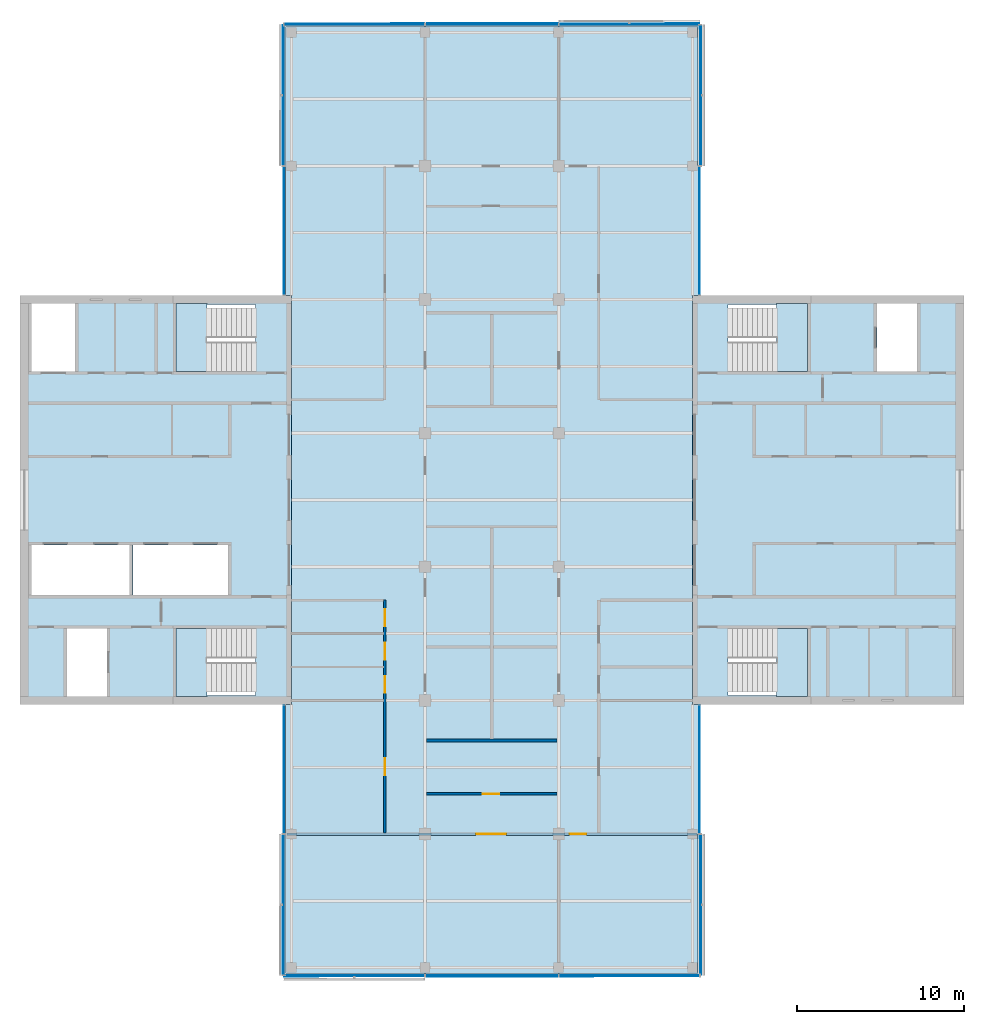
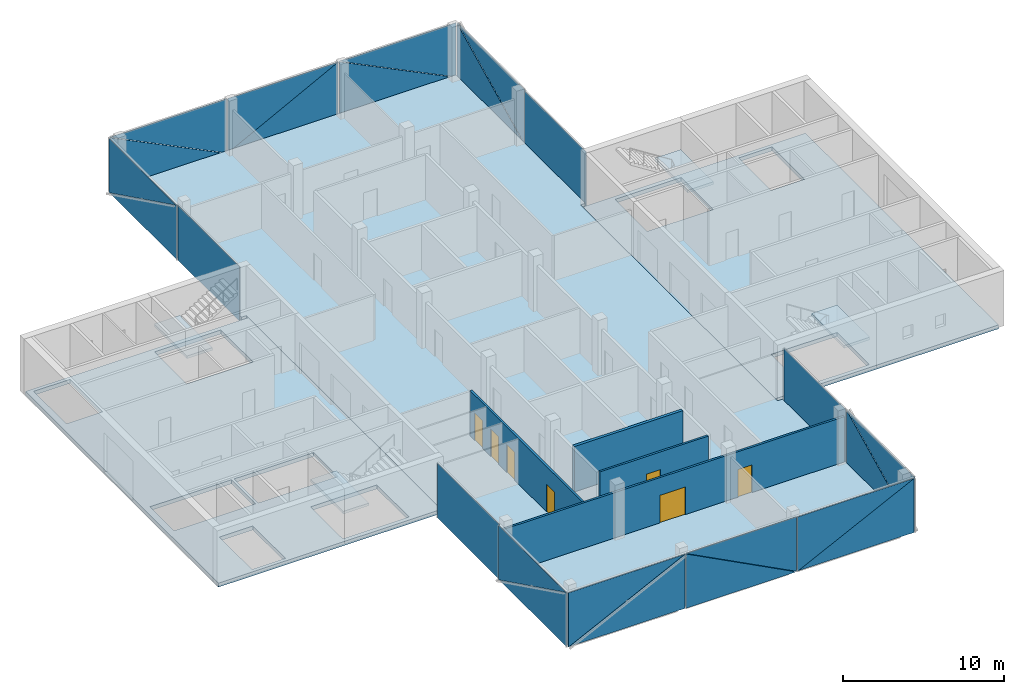
# One storey, part 8 of 16: 24 plates, 7 doors, 7 slabs, 4 walls, 7 openings, 14 elements without a shape of their own.
"""IFC4 building model written with IfcOpenShell, lengths in metres."""

import ifcopenshell
import ifcopenshell.guid

model = None  # the IFC model being written
_history = None  # IfcOwnerHistory: only IFC2X3 demands one
_inside = {}  # id of a spatial element -> (the spatial element, [elements in it])
_under = {}  # id of a project, library or spatial element -> (it, [spatial elements below it])
_declared = {}  # id of a project -> (the project, [libraries it declares])
_typed = {}  # id of a type object -> (the type object, [elements of that type])
_made_of = {}  # id of a material, layer set ... -> (it, [elements and type objects made of it])


def new_model(schema):
    """Start an empty IFC model of exactly this schema.

    Asked for "IFC4X3", IfcOpenShell would pick the latest addendum, in which some entities
    have other attributes; the version numbers below select the first issue.
    IFC2X3 requires an IfcOwnerHistory on every rooted entity: one is made here for all.
    """
    global model, _history
    if schema == "IFC4X3":
        model = ifcopenshell.file(schema_version=(4, 3, 0, 0))
    else:
        model = ifcopenshell.file(schema=schema)
    _inside.clear()
    _under.clear()
    _declared.clear()
    _typed.clear()
    _made_of.clear()
    _history = None
    if model.schema == "IFC2X3":
        org = make("IfcOrganization", Name="unknown")
        user = make(
            "IfcPersonAndOrganization",
            ThePerson=make("IfcPerson", FamilyName="unknown"),
            TheOrganization=org,
        )
        app = make(
            "IfcApplication",
            ApplicationDeveloper=org,
            Version="unknown",
            ApplicationFullName="unknown",
            ApplicationIdentifier="unknown",
        )
        _history = make(
            "IfcOwnerHistory",
            OwningUser=user,
            OwningApplication=app,
            ChangeAction="ADDED",
            CreationDate=0,
        )
    return model


def make(cls, **values):
    """One entity of the class cls with the attributes given. An attribute that is None is left unset."""
    return model.create_entity(
        cls, **{name: value for name, value in values.items() if value is not None}
    )


def rooted(cls, **values):
    """An entity with a GlobalId (a new one), such as an element, a storey or a relation."""
    return make(cls, GlobalId=ifcopenshell.guid.new(), OwnerHistory=_history, **values)


def si_unit(unit_type, name, prefix=None):
    """IfcSIUnit, for example si_unit("LENGTHUNIT", "METRE", prefix="MILLI")."""
    return make("IfcSIUnit", UnitType=unit_type, Prefix=prefix, Name=name)


def assignment(units):
    """IfcUnitAssignment: the units of a project."""
    return None if units is None else make("IfcUnitAssignment", Units=units)


def point(xyz):
    """IfcCartesianPoint."""
    return None if xyz is None else make("IfcCartesianPoint", Coordinates=xyz)


def direction(xyz):
    """IfcDirection."""
    return None if xyz is None else make("IfcDirection", DirectionRatios=xyz)


def frame(location, z_axis=None, x_axis=None):
    """IfcAxis2Placement3D, a coordinate frame: its origin and axes. An axis left out is left unset."""
    return make(
        "IfcAxis2Placement3D",
        Location=point(location),
        Axis=direction(z_axis),
        RefDirection=direction(x_axis),
    )


def frame_2d(location, x_axis=None):
    """IfcAxis2Placement2D, a coordinate frame in the plane: its origin and x axis."""
    return make(
        "IfcAxis2Placement2D", Location=point(location), RefDirection=direction(x_axis)
    )


def origin():
    """The frame at (0, 0, 0) with its axes left unset."""
    return frame((0.0, 0.0, 0.0))


def place(relative_to, where):
    """IfcLocalPlacement: puts the frame where relative to a parent placement (None: the world)."""
    return make(
        "IfcLocalPlacement", PlacementRelTo=relative_to, RelativePlacement=where
    )


def context(
    kind, dimensions, precision=None, world=None, true_north=None, identifier=None
):
    """IfcGeometricRepresentationContext, for example the 3D "Model" context."""
    return make(
        "IfcGeometricRepresentationContext",
        ContextIdentifier=identifier,
        ContextType=kind,
        CoordinateSpaceDimension=dimensions,
        Precision=precision,
        WorldCoordinateSystem=world,
        TrueNorth=true_north,
    )


def subcontext(parent, identifier, kind, view, scale=None):
    """IfcGeometricRepresentationSubContext, for example "Body" below "Model"."""
    return make(
        "IfcGeometricRepresentationSubContext",
        ContextIdentifier=identifier,
        ContextType=kind,
        ParentContext=parent,
        TargetScale=scale,
        TargetView=view,
    )


def project(units=None, contexts=None):
    """IfcProject with its units and contexts."""
    return rooted(
        "IfcProject",
        Name="project",
        RepresentationContexts=contexts,
        UnitsInContext=assignment(units),
    )


def spatial(cls, under=None, at=None, **own):
    """A site, building, storey or space (cls), placed at a placement, below another one or the project."""
    s = rooted(cls, ObjectPlacement=at, **own)
    if under is not None:
        _under.setdefault(under.id(), (under, []))[1].append(s)
    return s


def polyline(points):
    """IfcPolyline through the points."""
    return make("IfcPolyline", Points=[point(p) for p in points])


def profile(cls, at=None, kind="AREA", **sizes):
    """A parametric profile (cls). Its sizes go by their IFC names, for example OverallWidth=200.0."""
    return make(cls, ProfileType=kind, Position=at, **sizes)


def rectangle(**sizes):
    """IfcRectangleProfileDef."""
    return profile("IfcRectangleProfileDef", **sizes)


def outline(outer, holes=None, kind="AREA"):
    """IfcArbitraryClosedProfileDef: a profile drawn as a closed curve; with holes, ...WithVoids."""
    if holes is None:
        return make("IfcArbitraryClosedProfileDef", ProfileType=kind, OuterCurve=outer)
    return make(
        "IfcArbitraryProfileDefWithVoids",
        ProfileType=kind,
        OuterCurve=outer,
        InnerCurves=holes,
    )


def extrude(swept, where, along, depth):
    """IfcExtrudedAreaSolid: the profile swept, set in the frame where, extruded along a direction by depth."""
    return make(
        "IfcExtrudedAreaSolid",
        SweptArea=swept,
        Position=where,
        ExtrudedDirection=direction(along),
        Depth=depth,
    )


def shape(context_of_items, identifier, shape_type, items):
    """IfcShapeRepresentation: the items that make up one representation, for example the "Body"."""
    return make(
        "IfcShapeRepresentation",
        ContextOfItems=context_of_items,
        RepresentationIdentifier=identifier,
        RepresentationType=shape_type,
        Items=items,
    )


def material(Name=None, Category=None):
    """IfcMaterial."""
    return make("IfcMaterial", Name=Name, Category=Category)


def layer(
    of_material, thickness, ventilated=None, Name=None, Category=None, Priority=None
):
    """IfcMaterialLayer: one layer of a wall or slab, of a material (None: an air gap)."""
    return make(
        "IfcMaterialLayer",
        Material=of_material,
        LayerThickness=thickness,
        IsVentilated=ventilated,
        Name=Name,
        Category=Category,
        Priority=Priority,
    )


def layer_set(layers, Name=None):
    """IfcMaterialLayerSet."""
    return make("IfcMaterialLayerSet", MaterialLayers=layers, LayerSetName=Name)


def made_of(thing, what):
    """Note that an element or type object is made of a material, layer set ...; save() writes the relation."""
    if what is not None:
        _made_of.setdefault(what.id(), (what, []))[1].append(thing)
    return thing


def type_object(cls, material=None, **own):
    """A type object (cls), such as IfcWallType, which elements share."""
    return made_of(rooted(cls, **own), material)


def element(
    cls,
    number,
    at=None,
    inside=None,
    cuts=None,
    type_object=None,
    material=None,
    context=None,
    identifier="Body",
    shape_type=None,
    held_by="IfcProductDefinitionShape",
    body=None,
    shapes=None,
    **own,
):
    """One element of the class cls, such as IfcWall. Its Tag is "e" and its number.

    at: its placement. inside: the storey or other place that contains it. cuts: it is an
    opening in that element (IfcRelVoidsElement). A single representation is given by context,
    identifier, shape_type and body (its items); several are given by shapes. held_by: the class
    of the entity that holds the representations. save() writes the other relations.
    """
    e = rooted(cls, Tag="e%d" % number, ObjectPlacement=at, **own)
    if body is not None:
        shapes = [shape(context, identifier, shape_type, body)]
    if shapes is not None:
        e.Representation = make(held_by, Representations=shapes)
    if inside is not None:
        _inside.setdefault(inside.id(), (inside, []))[1].append(e)
    if cuts is not None:
        rooted(
            "IfcRelVoidsElement", RelatingBuildingElement=cuts, RelatedOpeningElement=e
        )
    if type_object is not None:
        _typed.setdefault(type_object.id(), (type_object, []))[1].append(e)
    return made_of(e, material)


def fill(opening, filler):
    """IfcRelFillsElement: the door or window that sits in an opening."""
    return rooted(
        "IfcRelFillsElement",
        RelatingOpeningElement=opening,
        RelatedBuildingElement=filler,
    )


def aggregate(whole, parts):
    """IfcRelAggregates: a whole, such as a stair, and the parts it consists of."""
    return rooted("IfcRelAggregates", RelatingObject=whole, RelatedObjects=parts)


def save(model, path):
    """Write the relations noted so far, then the file.

    IfcRelAggregates (storeys below a building ...), IfcRelContainedInSpatialStructure (elements
    in a storey), IfcRelDefinesByType, IfcRelAssociatesMaterial and IfcRelDeclares: one each for
    every whole, place, type object, material and project.
    """
    for whole, parts in _under.values():
        aggregate(whole, parts)
    for where, things in _inside.values():
        rooted(
            "IfcRelContainedInSpatialStructure",
            RelatedElements=things,
            RelatingStructure=where,
        )
    for kind, things in _typed.values():
        rooted("IfcRelDefinesByType", RelatedObjects=things, RelatingType=kind)
    for what, things in _made_of.values():
        rooted("IfcRelAssociatesMaterial", RelatedObjects=things, RelatingMaterial=what)
    for by, libraries in _declared.values():
        rooted("IfcRelDeclares", RelatingContext=by, RelatedDefinitions=libraries)
    model.write(path)


model = new_model("IFC4")

# Units and contexts
model_context = context("Model", 3, precision=1e-05, world=origin(), true_north=direction((0.0, 1.0)))
body_context = subcontext(model_context, "Body", "Model", "MODEL_VIEW")
ifc_project = project(units=[si_unit("LENGTHUNIT", "METRE"), si_unit("AREAUNIT", "SQUARE_METRE"), si_unit("VOLUMEUNIT", "CUBIC_METRE"), si_unit("PLANEANGLEUNIT", "RADIAN"), si_unit("MASSUNIT", "GRAM", prefix="KILO")], contexts=[model_context])

# Site, building, storey
site_placement = place(None, origin())
site = spatial("IfcSite", under=ifc_project, at=site_placement, CompositionType="ELEMENT")
building_placement = place(site_placement, origin())
building = spatial("IfcBuilding", under=site, at=building_placement, Name="Crosswind Convention Tower", CompositionType="ELEMENT")
storey_placement = place(building_placement, frame((0.0, 0.0, 282.89990234375)))
storey = spatial("IfcBuildingStorey", under=building, at=storey_placement, Name="L61", CompositionType="ELEMENT", Elevation=282.89990234375)

# Slabs
ifc_material_1 = material(Name="Concrete C40/50", Category="concrete")
ifc_layer_1 = layer(ifc_material_1, 0.300048828125)
ifc_layer_set_1 = layer_set([ifc_layer_1], Name="Concrete C40/50")
slab_type_1 = type_object("IfcSlabType", Name="Composite floor slab 300", PredefinedType="FLOOR", material=ifc_layer_set_1)
slab_1_placement = place(storey_placement, frame((0.0, 0.0, -0.2998046875)))
element("IfcSlab", 1, at=slab_1_placement, inside=storey, type_object=slab_type_1, Name="Floor slab L61", PredefinedType="FLOOR", context=body_context, shape_type="SweptSolid", body=[
    extrude(outline(polyline([(137.35009765625, 71.64990234375), (137.0, 71.64990234375), (113.0, 71.64990234375), (112.64990234375, 71.64990234375), (112.64990234375, 72.0), (112.64990234375, 87.75), (113.0, 87.75), (113.0, 112.25), (112.64990234375, 112.25), (112.64990234375, 128.0), (112.64990234375, 128.35009765625), (113.0, 128.35009765625), (137.0, 128.35009765625), (137.35009765625, 128.35009765625), (137.35009765625, 128.0), (137.35009765625, 112.25), (137.0, 112.25), (137.0, 87.75), (137.35009765625, 87.75), (137.35009765625, 72.0), (137.35009765625, 71.64990234375)])), origin(), (0.0, 0.0, 1.0), 0.2998046875),
])
ifc_layer_2 = layer(ifc_material_1, 0.300048828125)
ifc_layer_set_2 = layer_set([ifc_layer_2], Name="Concrete C40/50")
slab_type_2 = type_object("IfcSlabType", Name="Concrete core floor slab 300", PredefinedType="FLOOR", material=ifc_layer_set_2)
slab_2_placement = place(storey_placement, frame((0.0, 0.0, -0.2998046875)))
element("IfcSlab", 2, at=slab_2_placement, inside=storey, type_object=slab_type_2, Name="Core floor slab E L61", PredefinedType="FLOOR", context=body_context, shape_type="SweptSolid", body=[
    extrude(outline(polyline([(137.0, 88.0), (153.0, 88.0), (153.0, 112.0), (137.0, 112.0), (137.0, 88.0)]), holes=[polyline([(150.449951171875, 107.699951171875), (150.449951171875, 111.75), (148.050048828125, 111.75), (148.050048828125, 107.699951171875), (150.449951171875, 107.699951171875)]), polyline([(143.89990234375, 107.699951171875), (143.89990234375, 111.699951171875), (139.14990234375, 111.699951171875), (139.14990234375, 107.699951171875), (143.89990234375, 107.699951171875)]), polyline([(143.89990234375, 88.300048828125), (143.89990234375, 92.300048828125), (139.14990234375, 92.300048828125), (139.14990234375, 88.300048828125), (143.89990234375, 88.300048828125)])]), origin(), (0.0, 0.0, 1.0), 0.2998046875),
])
slab_3_placement = place(storey_placement, frame((0.0, 0.0, -0.2998046875)))
element("IfcSlab", 3, at=slab_3_placement, inside=storey, type_object=slab_type_2, Name="Core floor slab W L61", PredefinedType="FLOOR", context=body_context, shape_type="SweptSolid", body=[
    extrude(outline(polyline([(97.0, 88.0), (113.0, 88.0), (113.0, 112.0), (97.0, 112.0), (97.0, 88.0)]), holes=[polyline([(109.199951171875, 94.300048828125), (109.199951171875, 97.300048828125), (103.5, 97.300048828125), (103.5, 94.300048828125), (109.199951171875, 94.300048828125)]), polyline([(103.300048828125, 94.300048828125), (103.300048828125, 97.300048828125), (97.449951171875, 97.300048828125), (97.449951171875, 94.300048828125), (103.300048828125, 94.300048828125)]), polyline([(101.949951171875, 88.25), (101.949951171875, 92.300048828125), (99.550048828125, 92.300048828125), (99.550048828125, 88.25), (101.949951171875, 88.25)]), polyline([(100.050048828125, 107.699951171875), (100.050048828125, 111.75), (97.449951171875, 111.75), (97.449951171875, 107.699951171875), (100.050048828125, 107.699951171875)]), polyline([(110.85009765625, 88.300048828125), (110.85009765625, 92.300048828125), (106.10009765625, 92.300048828125), (106.10009765625, 88.300048828125), (110.85009765625, 88.300048828125)]), polyline([(110.85009765625, 107.699951171875), (110.85009765625, 111.699951171875), (106.10009765625, 111.699951171875), (106.10009765625, 107.699951171875), (110.85009765625, 107.699951171875)])]), origin(), (0.0, 0.0, 1.0), 0.2998046875),
])

# Stair, slab
stair_type = type_object("IfcStairType", Name="Exit stair 1800 wide, 2 flights of 11 risers", PredefinedType="HALF_TURN_STAIR", material=ifc_material_1)
stair_1_placement = place(storey_placement, origin())
stair_1 = element("IfcStair", 4, at=stair_1_placement, inside=storey, type_object=stair_type, Name="Exit stair ST1 L61", ObjectType="ST5", PredefinedType="HALF_TURN_STAIR")
ifc_layer_3 = layer(ifc_material_1, 0.199951171875)
ifc_layer_set_3 = layer_set([ifc_layer_3], Name="Concrete C40/50")
slab_type_3 = type_object("IfcSlabType", Name="Stair landing 200", PredefinedType="LANDING", material=ifc_layer_set_3)
slab_4_placement = place(storey_placement, frame((0.0, 0.0, 1.900146484375)))
slab_4 = element("IfcSlab", 5, at=slab_4_placement, type_object=slab_type_3, Name="ST1 landing 1", PredefinedType="LANDING", context=body_context, shape_type="SweptSolid", body=[
    extrude(outline(polyline([(143.89990234375, 107.699951171875), (143.89990234375, 111.75), (142.050048828125, 111.75), (142.050048828125, 107.699951171875), (143.89990234375, 107.699951171875)])), origin(), (0.0, 0.0, 1.0), 0.199951171875),
])
aggregate(stair_1, [slab_4])

stair_2_placement = place(storey_placement, origin())
stair_2 = element("IfcStair", 6, at=stair_2_placement, inside=storey, type_object=stair_type, Name="Exit stair ST2 L61", ObjectType="ST5", PredefinedType="HALF_TURN_STAIR")
slab_5_placement = place(storey_placement, frame((0.0, 0.0, 1.900146484375)))
slab_5 = element("IfcSlab", 7, at=slab_5_placement, type_object=slab_type_3, Name="ST2 landing 1", PredefinedType="LANDING", context=body_context, shape_type="SweptSolid", body=[
    extrude(outline(polyline([(143.89990234375, 88.25), (143.89990234375, 92.300048828125), (142.050048828125, 92.300048828125), (142.050048828125, 88.25), (143.89990234375, 88.25)])), origin(), (0.0, 0.0, 1.0), 0.199951171875),
])
aggregate(stair_2, [slab_5])

stair_3_placement = place(storey_placement, origin())
stair_3 = element("IfcStair", 8, at=stair_3_placement, inside=storey, type_object=stair_type, Name="Exit stair ST3 L61", ObjectType="ST5", PredefinedType="HALF_TURN_STAIR")
slab_6_placement = place(storey_placement, frame((0.0, 0.0, 1.900146484375)))
slab_6 = element("IfcSlab", 9, at=slab_6_placement, type_object=slab_type_3, Name="ST3 landing 1", PredefinedType="LANDING", context=body_context, shape_type="SweptSolid", body=[
    extrude(outline(polyline([(107.949951171875, 88.25), (107.949951171875, 92.300048828125), (106.10009765625, 92.300048828125), (106.10009765625, 88.25), (107.949951171875, 88.25)])), origin(), (0.0, 0.0, 1.0), 0.199951171875),
])
aggregate(stair_3, [slab_6])

stair_4_placement = place(storey_placement, origin())
stair_4 = element("IfcStair", 10, at=stair_4_placement, inside=storey, type_object=stair_type, Name="Exit stair ST4 L61", ObjectType="ST5", PredefinedType="HALF_TURN_STAIR")
slab_7_placement = place(storey_placement, frame((0.0, 0.0, 1.900146484375)))
slab_7 = element("IfcSlab", 11, at=slab_7_placement, type_object=slab_type_3, Name="ST4 landing 1", PredefinedType="LANDING", context=body_context, shape_type="SweptSolid", body=[
    extrude(outline(polyline([(107.949951171875, 107.699951171875), (107.949951171875, 111.75), (106.10009765625, 111.75), (106.10009765625, 107.699951171875), (107.949951171875, 107.699951171875)])), origin(), (0.0, 0.0, 1.0), 0.199951171875),
])
aggregate(stair_4, [slab_7])

# Curtain wall, plate
ifc_material_2 = material(Name="Aluminium unitised curtain wall", Category="aluminium")
curtain_wall_type_1 = type_object("IfcCurtainWallType", Name="CORE END SLOT WALL 160", PredefinedType="USERDEFINED", material=ifc_material_2)
curtain_wall_1_placement = place(storey_placement, origin())
curtain_wall_1 = element("IfcCurtainWall", 12, at=curtain_wall_1_placement, inside=storey, type_object=curtain_wall_type_1, Name="CW6 L61 N-E.1-1 slot", ObjectType="UNITISED", PredefinedType="USERDEFINED")
ifc_material_3 = material(Name="Laminated insulating glass unit", Category="glass")
ifc_layer_4 = layer(ifc_material_3, 0.02587890625)
ifc_layer_set_4 = layer_set([ifc_layer_4], Name="TRIANGULAR GLASS PANEL 26")
plate_type_1 = type_object("IfcPlateType", Name="TRIANGULAR GLASS PANEL 26", PredefinedType="CURTAIN_PANEL", material=ifc_layer_set_4)
plate_1_placement = place(storey_placement, frame((137.456787109375, 112.300048828125, -0.2998046875), z_axis=(0.999999915205, 0.0, 0.00041181312), x_axis=(0.0, 1.0, 0.0)))
plate_1 = element("IfcPlate", 13, at=plate_1_placement, type_object=plate_type_1, Name="CW6 panel 1.1", PredefinedType="CURTAIN_PANEL", context=body_context, shape_type="SweptSolid", body=[
    extrude(outline(polyline([(0.0, 0.0), (7.64990234375, 0.0), (7.64990234375, 4.149902695641108), (0.0, 4.149902695641108), (0.0, 0.0)])), origin(), (0.0, 0.0, -1.0), 0.02587890625),
])
aggregate(curtain_wall_1, [plate_1])

curtain_wall_2_placement = place(storey_placement, origin())
curtain_wall_2 = element("IfcCurtainWall", 14, at=curtain_wall_2_placement, inside=storey, type_object=curtain_wall_type_1, Name="CW6 L61 N-W.1-2 slot", ObjectType="UNITISED", PredefinedType="USERDEFINED")
plate_2_placement = place(storey_placement, frame((112.543212890625, 119.949951171875, -0.2998046875), z_axis=(-0.999999915205, 0.0, 0.00041181312), x_axis=(0.0, -1.0, 0.0)))
plate_2 = element("IfcPlate", 15, at=plate_2_placement, type_object=plate_type_1, Name="CW6 panel 1.1", PredefinedType="CURTAIN_PANEL", context=body_context, shape_type="SweptSolid", body=[
    extrude(outline(polyline([(0.0, 0.0), (7.64990234375, 0.0), (7.64990234375, 4.149902695641108), (0.0, 4.149902695641108), (0.0, 0.0)])), origin(), (0.0, 0.0, -1.0), 0.02587890625),
])
aggregate(curtain_wall_2, [plate_2])

curtain_wall_3_placement = place(storey_placement, origin())
curtain_wall_3 = element("IfcCurtainWall", 16, at=curtain_wall_3_placement, inside=storey, type_object=curtain_wall_type_1, Name="CW6 L61 S-W.1-1 slot", ObjectType="UNITISED", PredefinedType="USERDEFINED")
plate_3_placement = place(storey_placement, frame((112.543212890625, 87.699951171875, -0.2998046875), z_axis=(-0.999999915205, 0.0, 0.00041181312), x_axis=(0.0, -1.0, 0.0)))
plate_3 = element("IfcPlate", 17, at=plate_3_placement, type_object=plate_type_1, Name="CW6 panel 1.1", PredefinedType="CURTAIN_PANEL", context=body_context, shape_type="SweptSolid", body=[
    extrude(outline(polyline([(0.0, 0.0), (7.64990234375, 0.0), (7.64990234375, 4.149902695641108), (0.0, 4.149902695641108), (0.0, 0.0)])), origin(), (0.0, 0.0, -1.0), 0.02587890625),
])
aggregate(curtain_wall_3, [plate_3])

curtain_wall_4_placement = place(storey_placement, origin())
curtain_wall_4 = element("IfcCurtainWall", 18, at=curtain_wall_4_placement, inside=storey, type_object=curtain_wall_type_1, Name="CW6 L61 S-E.1-2 slot", ObjectType="UNITISED", PredefinedType="USERDEFINED")
plate_4_placement = place(storey_placement, frame((137.456787109375, 80.050048828125, -0.2998046875), z_axis=(0.999999915205, 0.0, 0.00041181312), x_axis=(0.0, 1.0, 0.0)))
plate_4 = element("IfcPlate", 19, at=plate_4_placement, type_object=plate_type_1, Name="CW6 panel 1.1", PredefinedType="CURTAIN_PANEL", context=body_context, shape_type="SweptSolid", body=[
    extrude(outline(polyline([(0.0, 0.0), (7.64990234375, 0.0), (7.64990234375, 4.149902695641108), (0.0, 4.149902695641108), (0.0, 0.0)])), origin(), (0.0, 0.0, -1.0), 0.02587890625),
])
aggregate(curtain_wall_4, [plate_4])

# Curtain wall, plates
curtain_wall_type_2 = type_object("IfcCurtainWallType", Name="OFFICE UNITISED WALL 220", PredefinedType="USERDEFINED", material=ifc_material_2)
curtain_wall_5_placement = place(storey_placement, origin())
curtain_wall_5 = element("IfcCurtainWall", 20, at=curtain_wall_5_placement, inside=storey, type_object=curtain_wall_type_2, Name="CW3 L61 N-E 1", ObjectType="UNITISED", PredefinedType="USERDEFINED")
ifc_layer_5 = layer(ifc_material_3, 0.031982421875)
ifc_layer_set_5 = layer_set([ifc_layer_5], Name="TRIANGULAR GLASS PANEL 32")
plate_type_2 = type_object("IfcPlateType", Name="TRIANGULAR GLASS PANEL 32", PredefinedType="CURTAIN_PANEL", material=ifc_layer_set_5)
plate_5_placement = place(storey_placement, frame((137.492919921875, 128.425048828125, -0.2998046875), z_axis=(0.999999913913, 0.0, 0.000414937724), x_axis=(-0.000414937724, 0.0, 0.999999913913)))
plate_5 = element("IfcPlate", 21, at=plate_5_placement, type_object=plate_type_2, Name="CW3 panel 1.1", PredefinedType="CURTAIN_PANEL", context=body_context, shape_type="SweptSolid", body=[
    extrude(outline(polyline([(0.0, 0.0), (4.118652698311059, 0.0), (0.0, 8.367431640625), (0.0, 0.0)])), origin(), (0.0, 0.0, -1.0), 0.031982421875),
])
plate_6_placement = place(storey_placement, frame((137.525146484375, 120.034912109375, 3.830078125), z_axis=(0.999999913924, 0.0, 0.000414913129), x_axis=(0.000414913129, 0.0, -0.999999913924)))
plate_6 = element("IfcPlate", 22, at=plate_6_placement, type_object=plate_type_2, Name="CW3 panel 1.2", PredefinedType="CURTAIN_PANEL", context=body_context, shape_type="SweptSolid", body=[
    extrude(outline(polyline([(0.0, 0.0), (4.118896838915043, 0.0), (0.0, 8.367431640625), (0.0, 0.0)])), origin(), (0.0, 0.0, -1.0), 0.031982421875),
])
aggregate(curtain_wall_5, [plate_5, plate_6])

curtain_wall_6_placement = place(storey_placement, origin())
curtain_wall_6 = element("IfcCurtainWall", 23, at=curtain_wall_6_placement, inside=storey, type_object=curtain_wall_type_2, Name="CW3 L61 N-TIP 1", ObjectType="UNITISED", PredefinedType="USERDEFINED")
plate_7_placement = place(storey_placement, frame((129.034912109375, 128.492919921875, -0.2998046875), z_axis=(0.0, 0.999999913913, 0.000414937724), x_axis=(0.0, -0.000414937724, 0.999999913913)))
plate_7 = element("IfcPlate", 24, at=plate_7_placement, type_object=plate_type_2, Name="CW3 panel 1.1", PredefinedType="CURTAIN_PANEL", context=body_context, shape_type="SweptSolid", body=[
    extrude(outline(polyline([(0.0, 0.0), (4.118652698311059, 0.0), (0.0, 8.367431640625), (0.0, 0.0)])), origin(), (0.0, 0.0, -1.0), 0.031982421875),
])
plate_8_placement = place(storey_placement, frame((137.425048828125, 128.525146484375, 3.830078125), z_axis=(0.0, 0.999999913924, 0.000414913129), x_axis=(0.0, 0.000414913129, -0.999999913924)))
plate_8 = element("IfcPlate", 25, at=plate_8_placement, type_object=plate_type_2, Name="CW3 panel 1.2", PredefinedType="CURTAIN_PANEL", context=body_context, shape_type="SweptSolid", body=[
    extrude(outline(polyline([(0.0, 0.0), (4.118896838915043, 0.0), (0.0, 8.367431640625), (0.0, 0.0)])), origin(), (0.0, 0.0, -1.0), 0.031982421875),
])
plate_9_placement = place(storey_placement, frame((121.034912109375, 128.4912109375, 3.830078125), z_axis=(0.0, 0.999999913913, 0.000414937724), x_axis=(1.0, 0.0, 0.0)))
plate_9 = element("IfcPlate", 26, at=plate_9_placement, type_object=plate_type_2, Name="CW3 panel 2.1", PredefinedType="CURTAIN_PANEL", context=body_context, shape_type="SweptSolid", body=[
    extrude(outline(polyline([(0.0, 0.0), (7.908447265625, 0.0), (0.0, 4.118652698311059), (0.0, 0.0)])), origin(), (0.0, 0.0, -1.0), 0.031982421875),
])
plate_10_placement = place(storey_placement, frame((128.965087890625, 128.52685546875, -0.2998046875), z_axis=(0.0, 0.999999913913, 0.000414937724), x_axis=(-1.0, 0.0, 0.0)))
plate_10 = element("IfcPlate", 27, at=plate_10_placement, type_object=plate_type_2, Name="CW3 panel 2.2", PredefinedType="CURTAIN_PANEL", context=body_context, shape_type="SweptSolid", body=[
    extrude(outline(polyline([(0.0, 0.0), (7.908447265625, 0.0), (0.0, 4.118652698311059), (0.0, 0.0)])), origin(), (0.0, 0.0, -1.0), 0.031982421875),
])
plate_11_placement = place(storey_placement, frame((112.574951171875, 128.492919921875, -0.2998046875), z_axis=(0.0, 0.999999913913, 0.000414937724), x_axis=(0.0, -0.000414937724, 0.999999913913)))
plate_11 = element("IfcPlate", 28, at=plate_11_placement, type_object=plate_type_2, Name="CW3 panel 3.1", PredefinedType="CURTAIN_PANEL", context=body_context, shape_type="SweptSolid", body=[
    extrude(outline(polyline([(0.0, 0.0), (4.118652698311059, 0.0), (0.0, 8.367431640625), (0.0, 0.0)])), origin(), (0.0, 0.0, -1.0), 0.031982421875),
])
plate_12_placement = place(storey_placement, frame((120.965087890625, 128.525146484375, 3.830078125), z_axis=(0.0, 0.999999913924, 0.000414913129), x_axis=(0.0, 0.000414913129, -0.999999913924)))
plate_12 = element("IfcPlate", 29, at=plate_12_placement, type_object=plate_type_2, Name="CW3 panel 3.2", PredefinedType="CURTAIN_PANEL", context=body_context, shape_type="SweptSolid", body=[
    extrude(outline(polyline([(0.0, 0.0), (4.118896838915043, 0.0), (0.0, 8.367431640625), (0.0, 0.0)])), origin(), (0.0, 0.0, -1.0), 0.031982421875),
])
aggregate(curtain_wall_6, [plate_7, plate_8, plate_9, plate_10, plate_11, plate_12])

curtain_wall_7_placement = place(storey_placement, origin())
curtain_wall_7 = element("IfcCurtainWall", 30, at=curtain_wall_7_placement, inside=storey, type_object=curtain_wall_type_2, Name="CW3 L61 N-W 1", ObjectType="UNITISED", PredefinedType="USERDEFINED")
plate_13_placement = place(storey_placement, frame((112.507080078125, 120.034912109375, -0.2998046875), z_axis=(-0.999999913913, 0.0, 0.000414937724), x_axis=(0.000414937724, 0.0, 0.999999913913)))
plate_13 = element("IfcPlate", 31, at=plate_13_placement, type_object=plate_type_2, Name="CW3 panel 1.1", PredefinedType="CURTAIN_PANEL", context=body_context, shape_type="SweptSolid", body=[
    extrude(outline(polyline([(0.0, 0.0), (4.118652698311059, 0.0), (0.0, 8.367431640625), (0.0, 0.0)])), origin(), (0.0, 0.0, -1.0), 0.031982421875),
])
plate_14_placement = place(storey_placement, frame((112.474853515625, 128.425048828125, 3.830078125), z_axis=(-0.999999913924, 0.0, 0.000414913129), x_axis=(-0.000414913129, 0.0, -0.999999913924)))
plate_14 = element("IfcPlate", 32, at=plate_14_placement, type_object=plate_type_2, Name="CW3 panel 1.2", PredefinedType="CURTAIN_PANEL", context=body_context, shape_type="SweptSolid", body=[
    extrude(outline(polyline([(0.0, 0.0), (4.118896838915043, 0.0), (0.0, 8.367431640625), (0.0, 0.0)])), origin(), (0.0, 0.0, -1.0), 0.031982421875),
])
aggregate(curtain_wall_7, [plate_13, plate_14])

curtain_wall_8_placement = place(storey_placement, origin())
curtain_wall_8 = element("IfcCurtainWall", 33, at=curtain_wall_8_placement, inside=storey, type_object=curtain_wall_type_2, Name="CW3 L61 S-W 1", ObjectType="UNITISED", PredefinedType="USERDEFINED")
plate_15_placement = place(storey_placement, frame((112.507080078125, 71.574951171875, -0.2998046875), z_axis=(-0.999999913913, 0.0, 0.000414937724), x_axis=(0.000414937724, 0.0, 0.999999913913)))
plate_15 = element("IfcPlate", 34, at=plate_15_placement, type_object=plate_type_2, Name="CW3 panel 1.1", PredefinedType="CURTAIN_PANEL", context=body_context, shape_type="SweptSolid", body=[
    extrude(outline(polyline([(0.0, 0.0), (4.118652698311059, 0.0), (0.0, 8.367431640625), (0.0, 0.0)])), origin(), (0.0, 0.0, -1.0), 0.031982421875),
])
plate_16_placement = place(storey_placement, frame((112.474853515625, 79.965087890625, 3.830078125), z_axis=(-0.999999913924, 0.0, 0.000414913129), x_axis=(-0.000414913129, 0.0, -0.999999913924)))
plate_16 = element("IfcPlate", 35, at=plate_16_placement, type_object=plate_type_2, Name="CW3 panel 1.2", PredefinedType="CURTAIN_PANEL", context=body_context, shape_type="SweptSolid", body=[
    extrude(outline(polyline([(0.0, 0.0), (4.118896838915043, 0.0), (0.0, 8.367431640625), (0.0, 0.0)])), origin(), (0.0, 0.0, -1.0), 0.031982421875),
])
aggregate(curtain_wall_8, [plate_15, plate_16])

curtain_wall_9_placement = place(storey_placement, origin())
curtain_wall_9 = element("IfcCurtainWall", 36, at=curtain_wall_9_placement, inside=storey, type_object=curtain_wall_type_2, Name="CW3 L61 S-TIP 1", ObjectType="UNITISED", PredefinedType="USERDEFINED")
plate_17_placement = place(storey_placement, frame((120.965087890625, 71.507080078125, -0.2998046875), z_axis=(0.0, -0.999999913913, 0.000414937724), x_axis=(0.0, 0.000414937724, 0.999999913913)))
plate_17 = element("IfcPlate", 37, at=plate_17_placement, type_object=plate_type_2, Name="CW3 panel 1.1", PredefinedType="CURTAIN_PANEL", context=body_context, shape_type="SweptSolid", body=[
    extrude(outline(polyline([(0.0, 0.0), (4.118652698311059, 0.0), (0.0, 8.367431640625), (0.0, 0.0)])), origin(), (0.0, 0.0, -1.0), 0.031982421875),
])
plate_18_placement = place(storey_placement, frame((112.574951171875, 71.474853515625, 3.830078125), z_axis=(0.0, -0.999999913924, 0.000414913129), x_axis=(0.0, -0.000414913129, -0.999999913924)))
plate_18 = element("IfcPlate", 38, at=plate_18_placement, type_object=plate_type_2, Name="CW3 panel 1.2", PredefinedType="CURTAIN_PANEL", context=body_context, shape_type="SweptSolid", body=[
    extrude(outline(polyline([(0.0, 0.0), (4.118896838915043, 0.0), (0.0, 8.367431640625), (0.0, 0.0)])), origin(), (0.0, 0.0, -1.0), 0.031982421875),
])
plate_19_placement = place(storey_placement, frame((128.965087890625, 71.5087890625, 3.830078125), z_axis=(0.0, -0.999999913913, 0.000414937724), x_axis=(-1.0, 0.0, 0.0)))
plate_19 = element("IfcPlate", 39, at=plate_19_placement, type_object=plate_type_2, Name="CW3 panel 2.1", PredefinedType="CURTAIN_PANEL", context=body_context, shape_type="SweptSolid", body=[
    extrude(outline(polyline([(0.0, 0.0), (7.908447265625, 0.0), (0.0, 4.118652698311059), (0.0, 0.0)])), origin(), (0.0, 0.0, -1.0), 0.031982421875),
])
plate_20_placement = place(storey_placement, frame((121.034912109375, 71.47314453125, -0.2998046875), z_axis=(0.0, -0.999999913913, 0.000414937724), x_axis=(1.0, 0.0, 0.0)))
plate_20 = element("IfcPlate", 40, at=plate_20_placement, type_object=plate_type_2, Name="CW3 panel 2.2", PredefinedType="CURTAIN_PANEL", context=body_context, shape_type="SweptSolid", body=[
    extrude(outline(polyline([(0.0, 0.0), (7.908447265625, 0.0), (0.0, 4.118652698311059), (0.0, 0.0)])), origin(), (0.0, 0.0, -1.0), 0.031982421875),
])
plate_21_placement = place(storey_placement, frame((137.425048828125, 71.507080078125, -0.2998046875), z_axis=(0.0, -0.999999913913, 0.000414937724), x_axis=(0.0, 0.000414937724, 0.999999913913)))
plate_21 = element("IfcPlate", 41, at=plate_21_placement, type_object=plate_type_2, Name="CW3 panel 3.1", PredefinedType="CURTAIN_PANEL", context=body_context, shape_type="SweptSolid", body=[
    extrude(outline(polyline([(0.0, 0.0), (4.118652698311059, 0.0), (0.0, 8.367431640625), (0.0, 0.0)])), origin(), (0.0, 0.0, -1.0), 0.031982421875),
])
plate_22_placement = place(storey_placement, frame((129.034912109375, 71.474853515625, 3.830078125), z_axis=(0.0, -0.999999913924, 0.000414913129), x_axis=(0.0, -0.000414913129, -0.999999913924)))
plate_22 = element("IfcPlate", 42, at=plate_22_placement, type_object=plate_type_2, Name="CW3 panel 3.2", PredefinedType="CURTAIN_PANEL", context=body_context, shape_type="SweptSolid", body=[
    extrude(outline(polyline([(0.0, 0.0), (4.118896838915043, 0.0), (0.0, 8.367431640625), (0.0, 0.0)])), origin(), (0.0, 0.0, -1.0), 0.031982421875),
])
aggregate(curtain_wall_9, [plate_17, plate_18, plate_19, plate_20, plate_21, plate_22])

curtain_wall_10_placement = place(storey_placement, origin())
curtain_wall_10 = element("IfcCurtainWall", 43, at=curtain_wall_10_placement, inside=storey, type_object=curtain_wall_type_2, Name="CW3 L61 S-E 1", ObjectType="UNITISED", PredefinedType="USERDEFINED")
plate_23_placement = place(storey_placement, frame((137.492919921875, 79.965087890625, -0.2998046875), z_axis=(0.999999913913, 0.0, 0.000414937724), x_axis=(-0.000414937724, 0.0, 0.999999913913)))
plate_23 = element("IfcPlate", 44, at=plate_23_placement, type_object=plate_type_2, Name="CW3 panel 1.1", PredefinedType="CURTAIN_PANEL", context=body_context, shape_type="SweptSolid", body=[
    extrude(outline(polyline([(0.0, 0.0), (4.118652698311059, 0.0), (0.0, 8.367431640625), (0.0, 0.0)])), origin(), (0.0, 0.0, -1.0), 0.031982421875),
])
plate_24_placement = place(storey_placement, frame((137.525146484375, 71.574951171875, 3.830078125), z_axis=(0.999999913924, 0.0, 0.000414913129), x_axis=(0.000414913129, 0.0, -0.999999913924)))
plate_24 = element("IfcPlate", 45, at=plate_24_placement, type_object=plate_type_2, Name="CW3 panel 1.2", PredefinedType="CURTAIN_PANEL", context=body_context, shape_type="SweptSolid", body=[
    extrude(outline(polyline([(0.0, 0.0), (4.118896838915043, 0.0), (0.0, 8.367431640625), (0.0, 0.0)])), origin(), (0.0, 0.0, -1.0), 0.031982421875),
])
aggregate(curtain_wall_10, [plate_23, plate_24])

# Wall
ifc_material_4 = material(Name="Concrete blockwork", Category="masonry")
ifc_layer_6 = layer(ifc_material_4, 0.199951171875)
ifc_layer_set_6 = layer_set([ifc_layer_6], Name="COMPARTMENT WALL 200 BLOCKWORK")
wall_type_1 = type_object("IfcWallType", Name="COMPARTMENT WALL 200 BLOCKWORK", PredefinedType="SOLIDWALL", material=ifc_layer_set_6)
wall_1_placement = place(storey_placement, frame((121.10009765625, 85.60009765625, 0.0), z_axis=(0.0, 0.0, 1.0), x_axis=(1.0, 0.0, 0.0)))
element("IfcWall", 46, at=wall_1_placement, inside=storey, type_object=wall_type_1, Name="Compartment wall WT42", PredefinedType="SOLIDWALL", context=body_context, shape_type="SweptSolid", body=[
    extrude(rectangle(XDim=7.7998046875, YDim=0.199951171875, at=frame_2d((3.89990234375, 0.0))), origin(), (0.0, 0.0, 1.0), 3.44287109375),
])

# Wall, openings, doors
ifc_material_5 = material(Name="Fire-board partition with mineral wool", Category="gypsum")
ifc_layer_7 = layer(ifc_material_5, 0.14990234375)
ifc_layer_set_7 = layer_set([ifc_layer_7], Name="TENANCY WALL 150 TWO-HOUR BOARD")
wall_type_2 = type_object("IfcWallType", Name="TENANCY WALL 150 TWO-HOUR BOARD", PredefinedType="PARTITIONING", material=ifc_layer_set_7)
wall_2_placement = place(storey_placement, frame((118.60009765625, 80.074951171875, 0.0), z_axis=(0.0, 0.0, 1.0), x_axis=(0.0, 1.0, 0.0)))
wall_2 = element("IfcWall", 47, at=wall_2_placement, inside=storey, type_object=wall_type_2, Name="Tenancy wall WT41", PredefinedType="PARTITIONING", context=body_context, shape_type="SweptSolid", body=[
    extrude(rectangle(XDim=13.925048828125, YDim=0.14990234375, at=frame_2d((6.96240234375, 0.0))), origin(), (0.0, 0.0, 1.0), 3.44287109375),
])
opening_1_placement = place(wall_2_placement, frame((12.375, 0.0, 0.0)))
opening_1 = element("IfcOpeningElement", 48, at=opening_1_placement, cuts=wall_2, Name="Opening L61-55", PredefinedType="OPENING", context=body_context, shape_type="SweptSolid", body=[
    extrude(rectangle(XDim=1.0, YDim=2.10009765625, at=frame_2d((0.5, 1.050048828125))), frame((0.0, 0.0849609375, 0.0), z_axis=(0.0, -1.0, 0.0), x_axis=(1.0, 0.0, 0.0)), (0.0, 0.0, 1.0), 0.169921875),
])
opening_2_placement = place(wall_2_placement, frame((10.375, 0.0, 0.0)))
opening_2 = element("IfcOpeningElement", 49, at=opening_2_placement, cuts=wall_2, Name="Opening L61-56", PredefinedType="OPENING", context=body_context, shape_type="SweptSolid", body=[
    extrude(rectangle(XDim=1.0, YDim=2.10009765625, at=frame_2d((0.5, 1.050048828125))), frame((0.0, 0.0849609375, 0.0), z_axis=(0.0, -1.0, 0.0), x_axis=(1.0, 0.0, 0.0)), (0.0, 0.0, 1.0), 0.169921875),
])
opening_3_placement = place(wall_2_placement, frame((8.375, 0.0, 0.0)))
opening_3 = element("IfcOpeningElement", 50, at=opening_3_placement, cuts=wall_2, Name="Opening L61-57", PredefinedType="OPENING", context=body_context, shape_type="SweptSolid", body=[
    extrude(rectangle(XDim=1.0, YDim=2.10009765625, at=frame_2d((0.5, 1.050048828125))), frame((0.0, 0.0849609375, 0.0), z_axis=(0.0, -1.0, 0.0), x_axis=(1.0, 0.0, 0.0)), (0.0, 0.0, 1.0), 0.169921875),
])
opening_4_placement = place(wall_2_placement, frame((3.449951171875, 0.0, 0.0)))
opening_4 = element("IfcOpeningElement", 51, at=opening_4_placement, cuts=wall_2, Name="Opening L61-58", PredefinedType="OPENING", context=body_context, shape_type="SweptSolid", body=[
    extrude(rectangle(XDim=1.0, YDim=2.10009765625, at=frame_2d((0.5, 1.050048828125))), frame((0.0, 0.0849609375, 0.0), z_axis=(0.0, -1.0, 0.0), x_axis=(1.0, 0.0, 0.0)), (0.0, 0.0, 1.0), 0.169921875),
])
ifc_material_6 = material(Name="Timber fire door", Category="wood")
door_type_1 = type_object("IfcDoorType", Name="TENANCY ENTRANCE DOOR 1000X2100 FD30S", OperationType="NOTDEFINED", PredefinedType="DOOR", material=ifc_material_6)
door_1_placement = place(opening_1_placement, origin())
door_1 = element("IfcDoor", 52, at=door_1_placement, inside=storey, type_object=door_type_1, Name="Door L61-55", ObjectType="D41", OperationType="SINGLE_SWING_LEFT", OverallHeight=2.10009765625, OverallWidth=1.0, PredefinedType="DOOR", context=body_context, shape_type="SweptSolid", body=[
    extrude(rectangle(XDim=1.0, YDim=2.10009765625, at=frame_2d((0.5, 1.050048828125))), frame((0.0, 0.02490234375, 0.0), z_axis=(0.0, -1.0, 0.0), x_axis=(1.0, 0.0, 0.0)), (0.0, 0.0, 1.0), 0.050048828125),
])
fill(opening_1, door_1)
door_2_placement = place(opening_2_placement, origin())
door_2 = element("IfcDoor", 53, at=door_2_placement, inside=storey, type_object=door_type_1, Name="Door L61-56", ObjectType="D41", OperationType="SINGLE_SWING_LEFT", OverallHeight=2.10009765625, OverallWidth=1.0, PredefinedType="DOOR", context=body_context, shape_type="SweptSolid", body=[
    extrude(rectangle(XDim=1.0, YDim=2.10009765625, at=frame_2d((0.5, 1.050048828125))), frame((0.0, 0.02490234375, 0.0), z_axis=(0.0, -1.0, 0.0), x_axis=(1.0, 0.0, 0.0)), (0.0, 0.0, 1.0), 0.050048828125),
])
fill(opening_2, door_2)
door_3_placement = place(opening_3_placement, origin())
door_3 = element("IfcDoor", 54, at=door_3_placement, inside=storey, type_object=door_type_1, Name="Door L61-57", ObjectType="D41", OperationType="SINGLE_SWING_LEFT", OverallHeight=2.10009765625, OverallWidth=1.0, PredefinedType="DOOR", context=body_context, shape_type="SweptSolid", body=[
    extrude(rectangle(XDim=1.0, YDim=2.10009765625, at=frame_2d((0.5, 1.050048828125))), frame((0.0, 0.02490234375, 0.0), z_axis=(0.0, -1.0, 0.0), x_axis=(1.0, 0.0, 0.0)), (0.0, 0.0, 1.0), 0.050048828125),
])
fill(opening_3, door_3)
door_4_placement = place(opening_4_placement, origin())
door_4 = element("IfcDoor", 55, at=door_4_placement, inside=storey, type_object=door_type_1, Name="Door L61-58", ObjectType="D41", OperationType="SINGLE_SWING_RIGHT", OverallHeight=2.10009765625, OverallWidth=1.0, PredefinedType="DOOR", context=body_context, shape_type="SweptSolid", body=[
    extrude(rectangle(XDim=1.0, YDim=2.10009765625, at=frame_2d((0.5, 1.050048828125))), frame((0.0, 0.02490234375, 0.0), z_axis=(0.0, -1.0, 0.0), x_axis=(1.0, 0.0, 0.0)), (0.0, 0.0, 1.0), 0.050048828125),
])
fill(opening_4, door_4)

wall_3_placement = place(storey_placement, frame((112.72998046875, 80.0, 0.0), z_axis=(0.0, 0.0, 1.0), x_axis=(1.0, 0.0, 0.0)))
wall_3 = element("IfcWall", 56, at=wall_3_placement, inside=storey, type_object=wall_type_2, Name="Tenancy wall WT41", PredefinedType="PARTITIONING", context=body_context, shape_type="SweptSolid", body=[
    extrude(rectangle(XDim=24.5400390625, YDim=0.14990234375, at=frame_2d((12.27001953125, 0.0))), origin(), (0.0, 0.0, 1.0), 3.44287109375),
])
opening_5_placement = place(wall_3_placement, frame((11.320068359375, 0.0, 0.0)))
opening_5 = element("IfcOpeningElement", 57, at=opening_5_placement, cuts=wall_3, Name="Opening L61-62", PredefinedType="OPENING", context=body_context, shape_type="SweptSolid", body=[
    extrude(rectangle(XDim=1.800048828125, YDim=2.10009765625, at=frame_2d((0.89990234375, 1.050048828125))), frame((0.0, 0.0849609375, 0.0), z_axis=(0.0, -1.0, 0.0), x_axis=(1.0, 0.0, 0.0)), (0.0, 0.0, 1.0), 0.169921875),
])
opening_6_placement = place(wall_3_placement, frame((16.919921875, 0.0, 0.0)))
opening_6 = element("IfcOpeningElement", 58, at=opening_6_placement, cuts=wall_3, Name="Opening L61-63", PredefinedType="OPENING", context=body_context, shape_type="SweptSolid", body=[
    extrude(rectangle(XDim=1.0, YDim=2.10009765625, at=frame_2d((0.5, 1.050048828125))), frame((0.0, 0.0849609375, 0.0), z_axis=(0.0, -1.0, 0.0), x_axis=(1.0, 0.0, 0.0)), (0.0, 0.0, 1.0), 0.169921875),
])
door_5_placement = place(opening_6_placement, frame((1.0, 0.0, 0.0), z_axis=(0.0, 0.0, 1.0), x_axis=(-1.0, 0.0, 0.0)))
door_5 = element("IfcDoor", 59, at=door_5_placement, inside=storey, type_object=door_type_1, Name="Door L61-63", ObjectType="D41", OperationType="SINGLE_SWING_RIGHT", OverallHeight=2.10009765625, OverallWidth=1.0, PredefinedType="DOOR", context=body_context, shape_type="SweptSolid", body=[
    extrude(rectangle(XDim=1.0, YDim=2.10009765625, at=frame_2d((0.5, 1.050048828125))), frame((0.0, 0.02490234375, 0.0), z_axis=(0.0, -1.0, 0.0), x_axis=(1.0, 0.0, 0.0)), (0.0, 0.0, 1.0), 0.050048828125),
])
fill(opening_6, door_5)
door_type_2 = type_object("IfcDoorType", Name="TENANCY ENTRANCE DOUBLE DOOR 1800X2100 FD30S", OperationType="DOUBLE_DOOR_SINGLE_SWING", PredefinedType="DOOR", material=ifc_material_6)
door_6_placement = place(opening_5_placement, frame((1.800048828125, 0.0, 0.0), z_axis=(0.0, 0.0, 1.0), x_axis=(-1.0, 0.0, 0.0)))
door_6 = element("IfcDoor", 60, at=door_6_placement, inside=storey, type_object=door_type_2, Name="Door L61-62", ObjectType="D42", OperationType="DOUBLE_DOOR_SINGLE_SWING", OverallHeight=2.10009765625, OverallWidth=1.800048828125, PredefinedType="DOOR", context=body_context, shape_type="SweptSolid", body=[
    extrude(rectangle(XDim=1.800048828125, YDim=2.10009765625, at=frame_2d((0.89990234375, 1.050048828125))), frame((0.0, 0.02490234375, 0.0), z_axis=(0.0, -1.0, 0.0), x_axis=(1.0, 0.0, 0.0)), (0.0, 0.0, 1.0), 0.050048828125),
])
fill(opening_5, door_6)

# Wall, opening, door
wall_4_placement = place(storey_placement, frame((121.10009765625, 82.39990234375, 0.0), z_axis=(0.0, 0.0, 1.0), x_axis=(1.0, 0.0, 0.0)))
wall_4 = element("IfcWall", 61, at=wall_4_placement, inside=storey, type_object=wall_type_2, Name="Tenancy wall WT41", PredefinedType="PARTITIONING", context=body_context, shape_type="SweptSolid", body=[
    extrude(rectangle(XDim=7.7998046875, YDim=0.14990234375, at=frame_2d((3.89990234375, 0.0))), origin(), (0.0, 0.0, 1.0), 3.44287109375),
])
opening_7_placement = place(wall_4_placement, frame((3.35009765625, 0.0, 0.0)))
opening_7 = element("IfcOpeningElement", 62, at=opening_7_placement, cuts=wall_4, Name="Opening L61-64", PredefinedType="OPENING", context=body_context, shape_type="SweptSolid", body=[
    extrude(rectangle(XDim=1.0, YDim=2.10009765625, at=frame_2d((0.5, 1.050048828125))), frame((0.0, 0.0849609375, 0.0), z_axis=(0.0, -1.0, 0.0), x_axis=(1.0, 0.0, 0.0)), (0.0, 0.0, 1.0), 0.169921875),
])
door_7_placement = place(opening_7_placement, origin())
door_7 = element("IfcDoor", 63, at=door_7_placement, inside=storey, type_object=door_type_1, Name="Door L61-64", ObjectType="D41", OperationType="SINGLE_SWING_LEFT", OverallHeight=2.10009765625, OverallWidth=1.0, PredefinedType="DOOR", context=body_context, shape_type="SweptSolid", body=[
    extrude(rectangle(XDim=1.0, YDim=2.10009765625, at=frame_2d((0.5, 1.050048828125))), frame((0.0, 0.02490234375, 0.0), z_axis=(0.0, -1.0, 0.0), x_axis=(1.0, 0.0, 0.0)), (0.0, 0.0, 1.0), 0.050048828125),
])
fill(opening_7, door_7)

save(model, "model.ifc")
